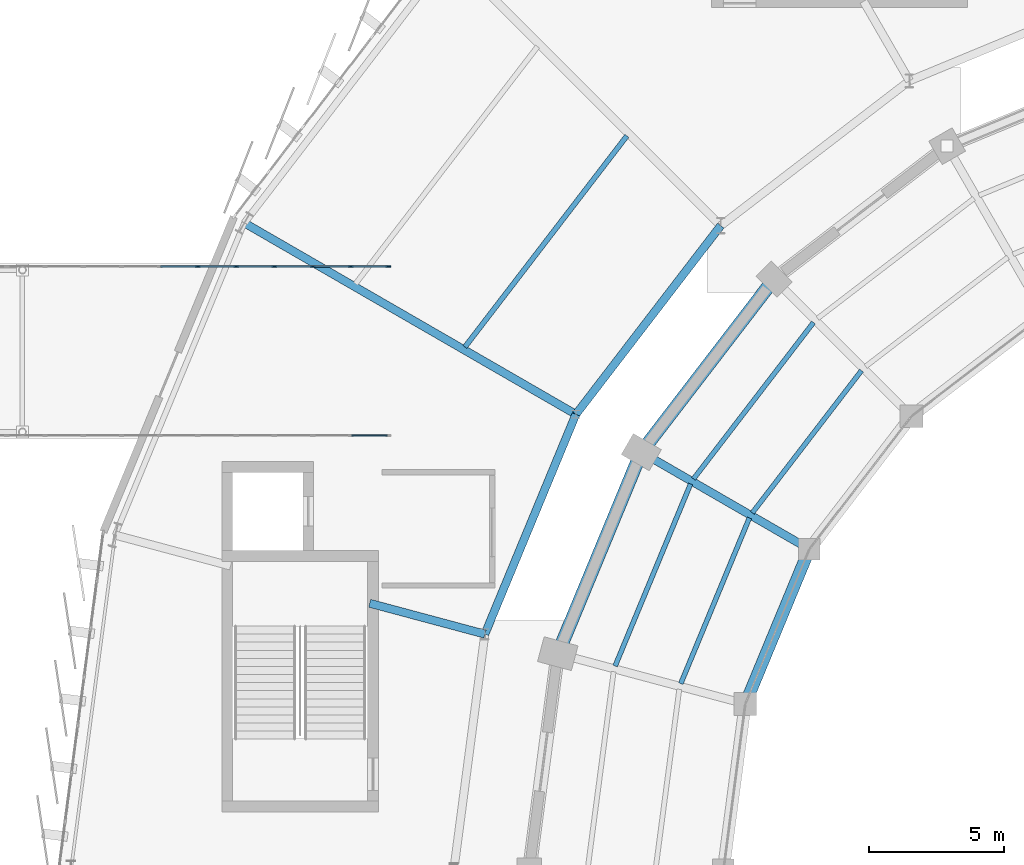
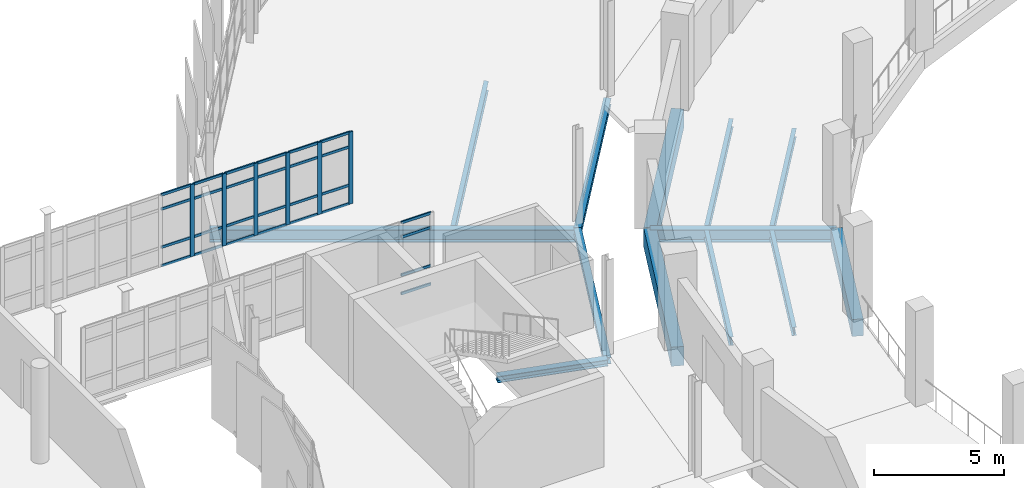
# One storey, part 51 of 125: 34 members, 13 beams, 2 elements without a shape of their own.
"""IFC4 building model written with IfcOpenShell, lengths in metres."""

from ifc_helpers import new_model, si_unit, direction, frame, origin, origin_2d, place, context, subcontext, project, spatial, rectangle, i_section, extrude, material, layer, layer_set, material_profile, profile_set, type_object, element, aggregate, save


model = new_model("IFC4")

# Units and contexts
model_context = context("Model", 3, precision=1e-05, world=origin(), true_north=direction((0.0, 1.0)))
body_context = subcontext(model_context, "Body", "Model", "MODEL_VIEW")
ifc_project = project(units=[si_unit("LENGTHUNIT", "METRE"), si_unit("AREAUNIT", "SQUARE_METRE"), si_unit("VOLUMEUNIT", "CUBIC_METRE"), si_unit("PLANEANGLEUNIT", "RADIAN"), si_unit("MASSUNIT", "GRAM", prefix="KILO")], contexts=[model_context])

# Site, building, storey
site_placement = place(None, origin())
site = spatial("IfcSite", under=ifc_project, at=site_placement, CompositionType="ELEMENT")
building_placement = place(site_placement, origin())
building = spatial("IfcBuilding", under=site, at=building_placement, Name="Sohan Crest Arena", CompositionType="ELEMENT")
storey_placement = place(building_placement, frame((0.0, 0.0, 9.0)))
storey = spatial("IfcBuildingStorey", under=building, at=storey_placement, Name="L02", CompositionType="ELEMENT", Elevation=9.0)

# Curtain wall, members
ifc_material_1 = material(Name="Thermally broken anodised aluminium", Category="aluminium")
ifc_layer = layer(ifc_material_1, 0.18994140625, Name="Thermally broken anodised aluminium")
ifc_layer_set = layer_set([ifc_layer], Name="Thermally broken anodised aluminium")
curtain_wall_type = type_object("IfcCurtainWallType", Name="ARC-CW05", PredefinedType="NOTDEFINED", material=ifc_layer_set)
curtain_wall_1_placement = place(storey_placement, origin())
curtain_wall_1 = element("IfcCurtainWall", 1, at=curtain_wall_1_placement, inside=storey, type_object=curtain_wall_type, Name="Unitised curtain wall CW-236", PredefinedType="NOTDEFINED")
ifc_material_profile_1 = material_profile(ifc_material_1, rectangle(XDim=0.06494140625, YDim=0.179931640625, at=origin_2d()), Name="ALU-MULL 65x180")
ifc_profile_set_1 = profile_set([ifc_material_profile_1], Name="Thermally broken anodised aluminium")
member_type_1 = type_object("IfcMemberType", Name="ARC-CW-ML02", PredefinedType="MULLION", material=ifc_profile_set_1)
member_1_placement = place(storey_placement, frame((54.708984375, 100.3798828125, 0.0), z_axis=(0.0, 0.0, 1.0), x_axis=(0.0, 1.0, 0.0)))
member_1 = element("IfcMember", 2, at=member_1_placement, type_object=member_type_1, Name="CW-236 mullion 7", PredefinedType="MULLION", context=body_context, shape_type="SweptSolid", body=[
    extrude(rectangle(XDim=0.06494140625, YDim=0.179931640625, at=origin_2d()), origin(), (0.0, 0.0, 1.0), 3.39990234375),
])
member_2_placement = place(storey_placement, frame((56.127197265625, 100.3798828125, 0.0), z_axis=(0.0, 0.0, 1.0), x_axis=(0.0, 1.0, 0.0)))
member_2 = element("IfcMember", 3, at=member_2_placement, type_object=member_type_1, Name="CW-236 mullion 8", PredefinedType="MULLION", context=body_context, shape_type="SweptSolid", body=[
    extrude(rectangle(XDim=0.06494140625, YDim=0.179931640625, at=origin_2d()), origin(), (0.0, 0.0, 1.0), 3.39990234375),
])
member_3_placement = place(storey_placement, frame((57.54541015625, 100.3798828125, 0.0), z_axis=(0.0, 0.0, 1.0), x_axis=(0.0, 1.0, 0.0)))
member_3 = element("IfcMember", 4, at=member_3_placement, type_object=member_type_1, Name="CW-236 mullion 9", PredefinedType="MULLION", context=body_context, shape_type="SweptSolid", body=[
    extrude(rectangle(XDim=0.06494140625, YDim=0.179931640625, at=origin_2d()), origin(), (0.0, 0.0, 1.0), 3.39990234375),
])
member_4_placement = place(storey_placement, frame((58.963623046875, 100.3798828125, 0.0), z_axis=(0.0, 0.0, 1.0), x_axis=(0.0, 1.0, 0.0)))
member_4 = element("IfcMember", 5, at=member_4_placement, type_object=member_type_1, Name="CW-236 mullion 10", PredefinedType="MULLION", context=body_context, shape_type="SweptSolid", body=[
    extrude(rectangle(XDim=0.06494140625, YDim=0.179931640625, at=origin_2d()), origin(), (0.0, 0.0, 1.0), 3.39990234375),
])
member_5_placement = place(storey_placement, frame((60.3818359375, 100.3798828125, 0.0), z_axis=(0.0, 0.0, 1.0), x_axis=(0.0, 1.0, 0.0)))
member_5 = element("IfcMember", 6, at=member_5_placement, type_object=member_type_1, Name="CW-236 mullion 11", PredefinedType="MULLION", context=body_context, shape_type="SweptSolid", body=[
    extrude(rectangle(XDim=0.06494140625, YDim=0.179931640625, at=origin_2d()), origin(), (0.0, 0.0, 1.0), 3.39990234375),
])
member_6_placement = place(storey_placement, frame((61.767578125, 100.3798828125, 0.0), z_axis=(0.0, 0.0, 1.0), x_axis=(0.0, 1.0, 0.0)))
member_6 = element("IfcMember", 7, at=member_6_placement, type_object=member_type_1, Name="CW-236 mullion 12", PredefinedType="MULLION", context=body_context, shape_type="SweptSolid", body=[
    extrude(rectangle(XDim=0.06494140625, YDim=0.179931640625, at=origin_2d()), origin(), (0.0, 0.0, 1.0), 3.39990234375),
])

curtain_wall_2_placement = place(storey_placement, origin())
curtain_wall_2 = element("IfcCurtainWall", 8, at=curtain_wall_2_placement, inside=storey, type_object=curtain_wall_type, Name="Unitised curtain wall CW-235", PredefinedType="NOTDEFINED")
ifc_material_profile_2 = material_profile(ifc_material_1, rectangle(XDim=0.06005859375, YDim=0.1201171875, at=origin_2d()), Name="ALU-TRAN 60x120")
ifc_profile_set_2 = profile_set([ifc_material_profile_2], Name="Thermally broken anodised aluminium")
member_type_2 = type_object("IfcMemberType", Name="ARC-CW-TR01", PredefinedType="USERDEFINED", material=ifc_profile_set_2)
member_7_placement = place(storey_placement, frame((60.414306640625, 94.1201171875, 0.030029296875), z_axis=(1.0, 0.0, 0.0), x_axis=(0.0, 1.0, 0.0)))
member_7 = element("IfcMember", 9, at=member_7_placement, type_object=member_type_2, Name="CW-235 transom 11.1", ObjectType="TRANSOM", PredefinedType="USERDEFINED", context=body_context, shape_type="SweptSolid", body=[
    extrude(rectangle(XDim=0.06005859375, YDim=0.1201171875, at=origin_2d()), origin(), (0.0, 0.0, 1.0), 1.32080078125),
])
member_8_placement = place(storey_placement, frame((60.414306640625, 94.1201171875, 0.89990234375), z_axis=(1.0, 0.0, 0.0), x_axis=(0.0, 1.0, 0.0)))
member_8 = element("IfcMember", 10, at=member_8_placement, type_object=member_type_2, Name="CW-235 transom 11.2", ObjectType="TRANSOM", PredefinedType="USERDEFINED", context=body_context, shape_type="SweptSolid", body=[
    extrude(rectangle(XDim=0.06005859375, YDim=0.1201171875, at=origin_2d()), origin(), (0.0, 0.0, 1.0), 1.32080078125),
])
member_9_placement = place(storey_placement, frame((60.414306640625, 94.1201171875, 2.699951171875), z_axis=(1.0, 0.0, 0.0), x_axis=(0.0, 1.0, 0.0)))
member_9 = element("IfcMember", 11, at=member_9_placement, type_object=member_type_2, Name="CW-235 transom 11.3", ObjectType="TRANSOM", PredefinedType="USERDEFINED", context=body_context, shape_type="SweptSolid", body=[
    extrude(rectangle(XDim=0.06005859375, YDim=0.1201171875, at=origin_2d()), origin(), (0.0, 0.0, 1.0), 1.32080078125),
])
member_10_placement = place(storey_placement, frame((60.414306640625, 94.1201171875, 3.3701171875), z_axis=(1.0, 0.0, 0.0), x_axis=(0.0, 1.0, 0.0)))
member_10 = element("IfcMember", 12, at=member_10_placement, type_object=member_type_2, Name="CW-235 transom 11.4", ObjectType="TRANSOM", PredefinedType="USERDEFINED", context=body_context, shape_type="SweptSolid", body=[
    extrude(rectangle(XDim=0.06005859375, YDim=0.1201171875, at=origin_2d()), origin(), (0.0, 0.0, 1.0), 1.32080078125),
])
aggregate(curtain_wall_2, [member_7, member_8, member_9, member_10])

# Member
member_11_placement = place(storey_placement, frame((53.323486328125, 100.3798828125, 0.030029296875), z_axis=(1.0, 0.0, 0.0), x_axis=(0.0, 1.0, 0.0)))
member_11 = element("IfcMember", 13, at=member_11_placement, type_object=member_type_2, Name="CW-236 transom 6.1", ObjectType="TRANSOM", PredefinedType="USERDEFINED", context=body_context, shape_type="SweptSolid", body=[
    extrude(rectangle(XDim=0.06005859375, YDim=0.1201171875, at=origin_2d()), origin(), (0.0, 0.0, 1.0), 1.35302734375),
])

member_12_placement = place(storey_placement, frame((53.323486328125, 100.3798828125, 0.89990234375), z_axis=(1.0, 0.0, 0.0), x_axis=(0.0, 1.0, 0.0)))
member_12 = element("IfcMember", 14, at=member_12_placement, type_object=member_type_2, Name="CW-236 transom 6.2", ObjectType="TRANSOM", PredefinedType="USERDEFINED", context=body_context, shape_type="SweptSolid", body=[
    extrude(rectangle(XDim=0.06005859375, YDim=0.1201171875, at=origin_2d()), origin(), (0.0, 0.0, 1.0), 1.35302734375),
])

member_13_placement = place(storey_placement, frame((53.323486328125, 100.3798828125, 2.699951171875), z_axis=(1.0, 0.0, 0.0), x_axis=(0.0, 1.0, 0.0)))
member_13 = element("IfcMember", 15, at=member_13_placement, type_object=member_type_2, Name="CW-236 transom 6.3", ObjectType="TRANSOM", PredefinedType="USERDEFINED", context=body_context, shape_type="SweptSolid", body=[
    extrude(rectangle(XDim=0.06005859375, YDim=0.1201171875, at=origin_2d()), origin(), (0.0, 0.0, 1.0), 1.35302734375),
])

member_14_placement = place(storey_placement, frame((53.323486328125, 100.3798828125, 3.3701171875), z_axis=(1.0, 0.0, 0.0), x_axis=(0.0, 1.0, 0.0)))
member_14 = element("IfcMember", 16, at=member_14_placement, type_object=member_type_2, Name="CW-236 transom 6.4", ObjectType="TRANSOM", PredefinedType="USERDEFINED", context=body_context, shape_type="SweptSolid", body=[
    extrude(rectangle(XDim=0.06005859375, YDim=0.1201171875, at=origin_2d()), origin(), (0.0, 0.0, 1.0), 1.35302734375),
])

member_15_placement = place(storey_placement, frame((54.74169921875, 100.3798828125, 0.030029296875), z_axis=(1.0, 0.0, 0.0), x_axis=(0.0, 1.0, 0.0)))
member_15 = element("IfcMember", 17, at=member_15_placement, type_object=member_type_2, Name="CW-236 transom 7.1", ObjectType="TRANSOM", PredefinedType="USERDEFINED", context=body_context, shape_type="SweptSolid", body=[
    extrude(rectangle(XDim=0.06005859375, YDim=0.1201171875, at=origin_2d()), origin(), (0.0, 0.0, 1.0), 1.35302734375),
])

member_16_placement = place(storey_placement, frame((54.74169921875, 100.3798828125, 0.89990234375), z_axis=(1.0, 0.0, 0.0), x_axis=(0.0, 1.0, 0.0)))
member_16 = element("IfcMember", 18, at=member_16_placement, type_object=member_type_2, Name="CW-236 transom 7.2", ObjectType="TRANSOM", PredefinedType="USERDEFINED", context=body_context, shape_type="SweptSolid", body=[
    extrude(rectangle(XDim=0.06005859375, YDim=0.1201171875, at=origin_2d()), origin(), (0.0, 0.0, 1.0), 1.35302734375),
])

member_17_placement = place(storey_placement, frame((54.74169921875, 100.3798828125, 2.699951171875), z_axis=(1.0, 0.0, 0.0), x_axis=(0.0, 1.0, 0.0)))
member_17 = element("IfcMember", 19, at=member_17_placement, type_object=member_type_2, Name="CW-236 transom 7.3", ObjectType="TRANSOM", PredefinedType="USERDEFINED", context=body_context, shape_type="SweptSolid", body=[
    extrude(rectangle(XDim=0.06005859375, YDim=0.1201171875, at=origin_2d()), origin(), (0.0, 0.0, 1.0), 1.35302734375),
])

member_18_placement = place(storey_placement, frame((54.74169921875, 100.3798828125, 3.3701171875), z_axis=(1.0, 0.0, 0.0), x_axis=(0.0, 1.0, 0.0)))
member_18 = element("IfcMember", 20, at=member_18_placement, type_object=member_type_2, Name="CW-236 transom 7.4", ObjectType="TRANSOM", PredefinedType="USERDEFINED", context=body_context, shape_type="SweptSolid", body=[
    extrude(rectangle(XDim=0.06005859375, YDim=0.1201171875, at=origin_2d()), origin(), (0.0, 0.0, 1.0), 1.35302734375),
])

member_19_placement = place(storey_placement, frame((56.15966796875, 100.3798828125, 0.030029296875), z_axis=(1.0, 0.0, 0.0), x_axis=(0.0, 1.0, 0.0)))
member_19 = element("IfcMember", 21, at=member_19_placement, type_object=member_type_2, Name="CW-236 transom 8.1", ObjectType="TRANSOM", PredefinedType="USERDEFINED", context=body_context, shape_type="SweptSolid", body=[
    extrude(rectangle(XDim=0.06005859375, YDim=0.1201171875, at=origin_2d()), origin(), (0.0, 0.0, 1.0), 1.353271484375),
])

member_20_placement = place(storey_placement, frame((56.15966796875, 100.3798828125, 0.89990234375), z_axis=(1.0, 0.0, 0.0), x_axis=(0.0, 1.0, 0.0)))
member_20 = element("IfcMember", 22, at=member_20_placement, type_object=member_type_2, Name="CW-236 transom 8.2", ObjectType="TRANSOM", PredefinedType="USERDEFINED", context=body_context, shape_type="SweptSolid", body=[
    extrude(rectangle(XDim=0.06005859375, YDim=0.1201171875, at=origin_2d()), origin(), (0.0, 0.0, 1.0), 1.353271484375),
])

member_21_placement = place(storey_placement, frame((56.15966796875, 100.3798828125, 2.699951171875), z_axis=(1.0, 0.0, 0.0), x_axis=(0.0, 1.0, 0.0)))
member_21 = element("IfcMember", 23, at=member_21_placement, type_object=member_type_2, Name="CW-236 transom 8.3", ObjectType="TRANSOM", PredefinedType="USERDEFINED", context=body_context, shape_type="SweptSolid", body=[
    extrude(rectangle(XDim=0.06005859375, YDim=0.1201171875, at=origin_2d()), origin(), (0.0, 0.0, 1.0), 1.353271484375),
])

member_22_placement = place(storey_placement, frame((56.15966796875, 100.3798828125, 3.3701171875), z_axis=(1.0, 0.0, 0.0), x_axis=(0.0, 1.0, 0.0)))
member_22 = element("IfcMember", 24, at=member_22_placement, type_object=member_type_2, Name="CW-236 transom 8.4", ObjectType="TRANSOM", PredefinedType="USERDEFINED", context=body_context, shape_type="SweptSolid", body=[
    extrude(rectangle(XDim=0.06005859375, YDim=0.1201171875, at=origin_2d()), origin(), (0.0, 0.0, 1.0), 1.353271484375),
])

member_23_placement = place(storey_placement, frame((57.577880859375, 100.3798828125, 0.030029296875), z_axis=(1.0, 0.0, 0.0), x_axis=(0.0, 1.0, 0.0)))
member_23 = element("IfcMember", 25, at=member_23_placement, type_object=member_type_2, Name="CW-236 transom 9.1", ObjectType="TRANSOM", PredefinedType="USERDEFINED", context=body_context, shape_type="SweptSolid", body=[
    extrude(rectangle(XDim=0.06005859375, YDim=0.1201171875, at=origin_2d()), origin(), (0.0, 0.0, 1.0), 1.353271484375),
])

member_24_placement = place(storey_placement, frame((57.577880859375, 100.3798828125, 0.89990234375), z_axis=(1.0, 0.0, 0.0), x_axis=(0.0, 1.0, 0.0)))
member_24 = element("IfcMember", 26, at=member_24_placement, type_object=member_type_2, Name="CW-236 transom 9.2", ObjectType="TRANSOM", PredefinedType="USERDEFINED", context=body_context, shape_type="SweptSolid", body=[
    extrude(rectangle(XDim=0.06005859375, YDim=0.1201171875, at=origin_2d()), origin(), (0.0, 0.0, 1.0), 1.353271484375),
])

member_25_placement = place(storey_placement, frame((57.577880859375, 100.3798828125, 2.699951171875), z_axis=(1.0, 0.0, 0.0), x_axis=(0.0, 1.0, 0.0)))
member_25 = element("IfcMember", 27, at=member_25_placement, type_object=member_type_2, Name="CW-236 transom 9.3", ObjectType="TRANSOM", PredefinedType="USERDEFINED", context=body_context, shape_type="SweptSolid", body=[
    extrude(rectangle(XDim=0.06005859375, YDim=0.1201171875, at=origin_2d()), origin(), (0.0, 0.0, 1.0), 1.353271484375),
])

member_26_placement = place(storey_placement, frame((57.577880859375, 100.3798828125, 3.3701171875), z_axis=(1.0, 0.0, 0.0), x_axis=(0.0, 1.0, 0.0)))
member_26 = element("IfcMember", 28, at=member_26_placement, type_object=member_type_2, Name="CW-236 transom 9.4", ObjectType="TRANSOM", PredefinedType="USERDEFINED", context=body_context, shape_type="SweptSolid", body=[
    extrude(rectangle(XDim=0.06005859375, YDim=0.1201171875, at=origin_2d()), origin(), (0.0, 0.0, 1.0), 1.353271484375),
])

member_27_placement = place(storey_placement, frame((58.99609375, 100.3798828125, 0.030029296875), z_axis=(1.0, 0.0, 0.0), x_axis=(0.0, 1.0, 0.0)))
member_27 = element("IfcMember", 29, at=member_27_placement, type_object=member_type_2, Name="CW-236 transom 10.1", ObjectType="TRANSOM", PredefinedType="USERDEFINED", context=body_context, shape_type="SweptSolid", body=[
    extrude(rectangle(XDim=0.06005859375, YDim=0.1201171875, at=origin_2d()), origin(), (0.0, 0.0, 1.0), 1.353271484375),
])

member_28_placement = place(storey_placement, frame((58.99609375, 100.3798828125, 0.89990234375), z_axis=(1.0, 0.0, 0.0), x_axis=(0.0, 1.0, 0.0)))
member_28 = element("IfcMember", 30, at=member_28_placement, type_object=member_type_2, Name="CW-236 transom 10.2", ObjectType="TRANSOM", PredefinedType="USERDEFINED", context=body_context, shape_type="SweptSolid", body=[
    extrude(rectangle(XDim=0.06005859375, YDim=0.1201171875, at=origin_2d()), origin(), (0.0, 0.0, 1.0), 1.353271484375),
])

member_29_placement = place(storey_placement, frame((58.99609375, 100.3798828125, 2.699951171875), z_axis=(1.0, 0.0, 0.0), x_axis=(0.0, 1.0, 0.0)))
member_29 = element("IfcMember", 31, at=member_29_placement, type_object=member_type_2, Name="CW-236 transom 10.3", ObjectType="TRANSOM", PredefinedType="USERDEFINED", context=body_context, shape_type="SweptSolid", body=[
    extrude(rectangle(XDim=0.06005859375, YDim=0.1201171875, at=origin_2d()), origin(), (0.0, 0.0, 1.0), 1.353271484375),
])

member_30_placement = place(storey_placement, frame((58.99609375, 100.3798828125, 3.3701171875), z_axis=(1.0, 0.0, 0.0), x_axis=(0.0, 1.0, 0.0)))
member_30 = element("IfcMember", 32, at=member_30_placement, type_object=member_type_2, Name="CW-236 transom 10.4", ObjectType="TRANSOM", PredefinedType="USERDEFINED", context=body_context, shape_type="SweptSolid", body=[
    extrude(rectangle(XDim=0.06005859375, YDim=0.1201171875, at=origin_2d()), origin(), (0.0, 0.0, 1.0), 1.353271484375),
])

member_31_placement = place(storey_placement, frame((60.414306640625, 100.3798828125, 0.030029296875), z_axis=(1.0, 0.0, 0.0), x_axis=(0.0, 1.0, 0.0)))
member_31 = element("IfcMember", 33, at=member_31_placement, type_object=member_type_2, Name="CW-236 transom 11.1", ObjectType="TRANSOM", PredefinedType="USERDEFINED", context=body_context, shape_type="SweptSolid", body=[
    extrude(rectangle(XDim=0.06005859375, YDim=0.1201171875, at=origin_2d()), origin(), (0.0, 0.0, 1.0), 1.32080078125),
])

member_32_placement = place(storey_placement, frame((60.414306640625, 100.3798828125, 0.89990234375), z_axis=(1.0, 0.0, 0.0), x_axis=(0.0, 1.0, 0.0)))
member_32 = element("IfcMember", 34, at=member_32_placement, type_object=member_type_2, Name="CW-236 transom 11.2", ObjectType="TRANSOM", PredefinedType="USERDEFINED", context=body_context, shape_type="SweptSolid", body=[
    extrude(rectangle(XDim=0.06005859375, YDim=0.1201171875, at=origin_2d()), origin(), (0.0, 0.0, 1.0), 1.32080078125),
])

member_33_placement = place(storey_placement, frame((60.414306640625, 100.3798828125, 2.699951171875), z_axis=(1.0, 0.0, 0.0), x_axis=(0.0, 1.0, 0.0)))
member_33 = element("IfcMember", 35, at=member_33_placement, type_object=member_type_2, Name="CW-236 transom 11.3", ObjectType="TRANSOM", PredefinedType="USERDEFINED", context=body_context, shape_type="SweptSolid", body=[
    extrude(rectangle(XDim=0.06005859375, YDim=0.1201171875, at=origin_2d()), origin(), (0.0, 0.0, 1.0), 1.32080078125),
])

member_34_placement = place(storey_placement, frame((60.414306640625, 100.3798828125, 3.3701171875), z_axis=(1.0, 0.0, 0.0), x_axis=(0.0, 1.0, 0.0)))
member_34 = element("IfcMember", 36, at=member_34_placement, type_object=member_type_2, Name="CW-236 transom 11.4", ObjectType="TRANSOM", PredefinedType="USERDEFINED", context=body_context, shape_type="SweptSolid", body=[
    extrude(rectangle(XDim=0.06005859375, YDim=0.1201171875, at=origin_2d()), origin(), (0.0, 0.0, 1.0), 1.32080078125),
])

aggregate(curtain_wall_1, [member_1, member_2, member_3, member_4, member_5, member_6, member_11, member_12, member_13, member_14, member_15, member_16, member_17, member_18, member_19, member_20, member_21, member_22, member_23, member_24, member_25, member_26, member_27, member_28, member_29, member_30, member_31, member_32, member_33, member_34])

# Beams
ifc_material_2 = material(Name="Steel S355", Category="steel")
ifc_material_profile_3 = material_profile(ifc_material_2, i_section(OverallWidth=0.179931640625, OverallDepth=0.39990234375, WebThickness=0.008544921875, FlangeThickness=0.013427734375, at=origin_2d()), Name="IPE 400")
ifc_profile_set_3 = profile_set([ifc_material_profile_3], Name="Steel S355")
beam_type_1 = type_object("IfcBeamType", Name="STR-BM-B03", PredefinedType="JOIST", material=ifc_profile_set_3)
beam_1_placement = place(storey_placement, frame((79.322021484375, 96.52392578125, -0.449951171875), z_axis=(-0.608761301523, -0.793353438114, 0.0), x_axis=(0.793353438114, -0.608761301523, 0.0)))
element("IfcBeam", 37, at=beam_1_placement, inside=storey, type_object=beam_type_1, Name="Structural beam J-L02-0138", PredefinedType="JOIST", context=body_context, shape_type="SweptSolid", body=[
    extrude(i_section(OverallWidth=0.179931640625, OverallDepth=0.39990234375, WebThickness=0.008544921875, FlangeThickness=0.013427734375, at=origin_2d()), origin(), (0.0, 0.0, 1.0), 6.6513671875),
])
beam_2_placement = place(storey_placement, frame((77.5400390625, 98.305908203125, -0.449951171875), z_axis=(-0.608707802556, -0.793394486436, 0.0), x_axis=(0.793394486436, -0.608707802556, 0.0)))
element("IfcBeam", 38, at=beam_2_placement, inside=storey, type_object=beam_type_1, Name="Structural beam J-L02-0139", PredefinedType="JOIST", context=body_context, shape_type="SweptSolid", body=[
    extrude(i_section(OverallWidth=0.179931640625, OverallDepth=0.39990234375, WebThickness=0.008544921875, FlangeThickness=0.013427734375, at=origin_2d()), origin(), (0.0, 0.0, 1.0), 7.308837890625),
])
beam_3_placement = place(storey_placement, frame((75.1640625, 91.05810546875, -0.449951171875), z_axis=(-0.382711680136, -0.923867831396, 0.0), x_axis=(0.923867831396, -0.382711680136, 0.0)))
element("IfcBeam", 39, at=beam_3_placement, inside=storey, type_object=beam_type_1, Name="Structural beam J-L02-0160", PredefinedType="JOIST", context=body_context, shape_type="SweptSolid", body=[
    extrude(i_section(OverallWidth=0.179931640625, OverallDepth=0.39990234375, WebThickness=0.008544921875, FlangeThickness=0.013427734375, at=origin_2d()), origin(), (0.0, 0.0, 1.0), 6.650390625),
])
beam_4_placement = place(storey_placement, frame((72.98193359375, 92.318115234375, -0.449951171875), z_axis=(-0.382800197818, -0.923831158032, 0.0), x_axis=(0.923831158032, -0.382800197818, 0.0)))
element("IfcBeam", 40, at=beam_4_placement, inside=storey, type_object=beam_type_1, Name="Structural beam J-L02-0161", PredefinedType="JOIST", context=body_context, shape_type="SweptSolid", body=[
    extrude(i_section(OverallWidth=0.179931640625, OverallDepth=0.39990234375, WebThickness=0.008544921875, FlangeThickness=0.013427734375, at=origin_2d()), origin(), (0.0, 0.0, 1.0), 7.308837890625),
])
ifc_material_profile_4 = material_profile(ifc_material_2, i_section(OverallWidth=0.18994140625, OverallDepth=0.449951171875, WebThickness=0.009521484375, FlangeThickness=0.0146484375, at=origin_2d()), Name="IPE 450")
ifc_profile_set_4 = profile_set([ifc_material_profile_4], Name="Steel S355")
beam_type_2 = type_object("IfcBeamType", Name="STR-BM-B04", PredefinedType="JOIST", material=ifc_profile_set_4)
beam_5_placement = place(storey_placement, frame((70.618896484375, 105.22705078125, -0.47509765625), z_axis=(-0.608739091659, -0.793370479843, 0.0), x_axis=(0.793370479843, -0.608739091659, 0.0)))
element("IfcBeam", 41, at=beam_5_placement, inside=storey, type_object=beam_type_2, Name="Structural beam J-L02-1260", PredefinedType="JOIST", context=body_context, shape_type="SweptSolid", body=[
    extrude(i_section(OverallWidth=0.18994140625, OverallDepth=0.449951171875, WebThickness=0.009521484375, FlangeThickness=0.0146484375, at=origin_2d()), origin(), (0.0, 0.0, 1.0), 9.864501953125),
])
ifc_material_profile_5 = material_profile(ifc_material_2, i_section(OverallWidth=0.300048828125, OverallDepth=0.590087890625, WebThickness=0.012939453125, FlangeThickness=0.02490234375, at=origin_2d()), Name="HEA 600")
ifc_profile_set_5 = profile_set([ifc_material_profile_5], Name="Steel S355")
beam_type_3 = type_object("IfcBeamType", Name="STR-BM-B11", PredefinedType="BEAM", material=ifc_profile_set_5)
beam_6_placement = place(storey_placement, frame((77.388916015625, 89.89990234375, -0.544921875), z_axis=(-0.866035395735, 0.499982693035, 0.0), x_axis=(-0.499982693035, -0.866035395735, 0.0)))
element("IfcBeam", 42, at=beam_6_placement, inside=storey, type_object=beam_type_3, Name="Structural beam G-L02-0159", PredefinedType="BEAM", context=body_context, shape_type="SweptSolid", body=[
    extrude(i_section(OverallWidth=0.300048828125, OverallDepth=0.590087890625, WebThickness=0.012939453125, FlangeThickness=0.02490234375, at=origin_2d()), origin(), (0.0, 0.0, 1.0), 7.200439453125),
])
beam_7_placement = place(storey_placement, frame((68.72802734375, 94.89990234375, -0.544921875), z_axis=(-0.86601465089, 0.500018624098, 0.0), x_axis=(-0.500018624098, -0.86601465089, 0.0)))
element("IfcBeam", 43, at=beam_7_placement, inside=storey, type_object=beam_type_3, Name="Structural beam G-L02-1262", PredefinedType="BEAM", context=body_context, shape_type="SweptSolid", body=[
    extrude(i_section(OverallWidth=0.300048828125, OverallDepth=0.590087890625, WebThickness=0.012939453125, FlangeThickness=0.02490234375, at=origin_2d()), origin(), (0.0, 0.0, 1.0), 14.19970703125),
])
ifc_material_profile_6 = material_profile(ifc_material_2, i_section(OverallWidth=0.300048828125, OverallDepth=0.300048828125, WebThickness=0.010986328125, FlangeThickness=0.01904296875, at=origin_2d()), Name="HEB 300")
ifc_profile_set_6 = profile_set([ifc_material_profile_6], Name="Steel S355")
beam_type_4 = type_object("IfcBeamType", Name="STR-BM-B12", PredefinedType="BEAM", material=ifc_profile_set_6)
beam_8_placement = place(storey_placement, frame((74.10009765625, 101.89990234375, -0.39990234375), z_axis=(-0.608817165336, -0.793310569192, 0.0), x_axis=(0.793310569192, -0.608817165336, 0.0)))
element("IfcBeam", 44, at=beam_8_placement, inside=storey, type_object=beam_type_4, Name="Structural beam G-L02-1258", PredefinedType="BEAM", context=body_context, shape_type="SweptSolid", body=[
    extrude(i_section(OverallWidth=0.300048828125, OverallDepth=0.300048828125, WebThickness=0.010986328125, FlangeThickness=0.01904296875, at=origin_2d()), origin(), (0.0, 0.0, 1.0), 8.82373046875),
])
beam_9_placement = place(storey_placement, frame((68.72802734375, 94.89990234375, -0.39990234375), z_axis=(-0.38262224111, -0.923904876385, 0.0), x_axis=(0.923904876385, -0.38262224111, 0.0)))
element("IfcBeam", 45, at=beam_9_placement, inside=storey, type_object=beam_type_4, Name="Structural beam G-L02-1263", PredefinedType="BEAM", context=body_context, shape_type="SweptSolid", body=[
    extrude(i_section(OverallWidth=0.300048828125, OverallDepth=0.300048828125, WebThickness=0.010986328125, FlangeThickness=0.01904296875, at=origin_2d()), origin(), (0.0, 0.0, 1.0), 8.8232421875),
])
beam_10_placement = place(storey_placement, frame((65.35205078125, 86.748046875, -0.39990234375), z_axis=(-0.965906157738, 0.258892437981, 0.0), x_axis=(-0.258892437981, -0.965906157738, 0.0)))
element("IfcBeam", 46, at=beam_10_placement, inside=storey, type_object=beam_type_4, Name="Structural beam G-L02-1265", PredefinedType="BEAM", context=body_context, shape_type="SweptSolid", body=[
    extrude(i_section(OverallWidth=0.300048828125, OverallDepth=0.300048828125, WebThickness=0.010986328125, FlangeThickness=0.01904296875, at=origin_2d()), origin(), (0.0, 0.0, 1.0), 4.4228515625),
])
ifc_material_3 = material(Name="Concrete C40/50", Category="concrete")
ifc_material_profile_7 = material_profile(ifc_material_3, rectangle(XDim=0.449951171875, YDim=0.800048828125, at=origin_2d()), Name="RC-BM 450x800")
ifc_profile_set_7 = profile_set([ifc_material_profile_7], Name="Concrete C40/50")
beam_type_5 = type_object("IfcBeamType", Name="STR-BM-TB02", PredefinedType="BEAM", material=ifc_profile_set_7)
beam_11_placement = place(storey_placement, frame((77.388916015625, 89.89990234375, -0.64990234375), z_axis=(-0.382731224457, -0.92385973493, 0.0), x_axis=(0.92385973493, -0.382731224457, 0.0)))
element("IfcBeam", 47, at=beam_11_placement, inside=storey, type_object=beam_type_5, Name="Structural beam TB-L02-0157", PredefinedType="BEAM", context=body_context, shape_type="SweptSolid", body=[
    extrude(rectangle(XDim=0.449951171875, YDim=0.800048828125, at=origin_2d()), origin(), (0.0, 0.0, 1.0), 6.213134765625),
])
ifc_material_profile_8 = material_profile(ifc_material_3, rectangle(XDim=0.5, YDim=0.89990234375, at=origin_2d()), Name="RC-BM 500x900")
ifc_profile_set_8 = profile_set([ifc_material_profile_8], Name="Concrete C40/50")
beam_type_6 = type_object("IfcBeamType", Name="STR-BM-TB03", PredefinedType="BEAM", material=ifc_profile_set_8)
beam_12_placement = place(storey_placement, frame((76.080078125, 99.919921875, -0.699951171875), z_axis=(-0.608825408167, -0.793304243257, 0.0), x_axis=(0.793304243257, -0.608825408167, 0.0)))
element("IfcBeam", 48, at=beam_12_placement, inside=storey, type_object=beam_type_6, Name="Structural beam TB-L02-0136", PredefinedType="BEAM", context=body_context, shape_type="SweptSolid", body=[
    extrude(rectangle(XDim=0.5, YDim=0.89990234375, at=origin_2d()), origin(), (0.0, 0.0, 1.0), 8.092529296875),
])
beam_13_placement = place(storey_placement, frame((71.153076171875, 93.5, -0.699951171875), z_axis=(-0.382691039498, -0.923876381497, 0.0), x_axis=(0.923876381497, -0.382691039498, 0.0)))
element("IfcBeam", 49, at=beam_13_placement, inside=storey, type_object=beam_type_6, Name="Structural beam TB-L02-0158", PredefinedType="BEAM", context=body_context, shape_type="SweptSolid", body=[
    extrude(rectangle(XDim=0.5, YDim=0.89990234375, at=origin_2d()), origin(), (0.0, 0.0, 1.0), 8.093017578125),
])

save(model, "model.ifc")
